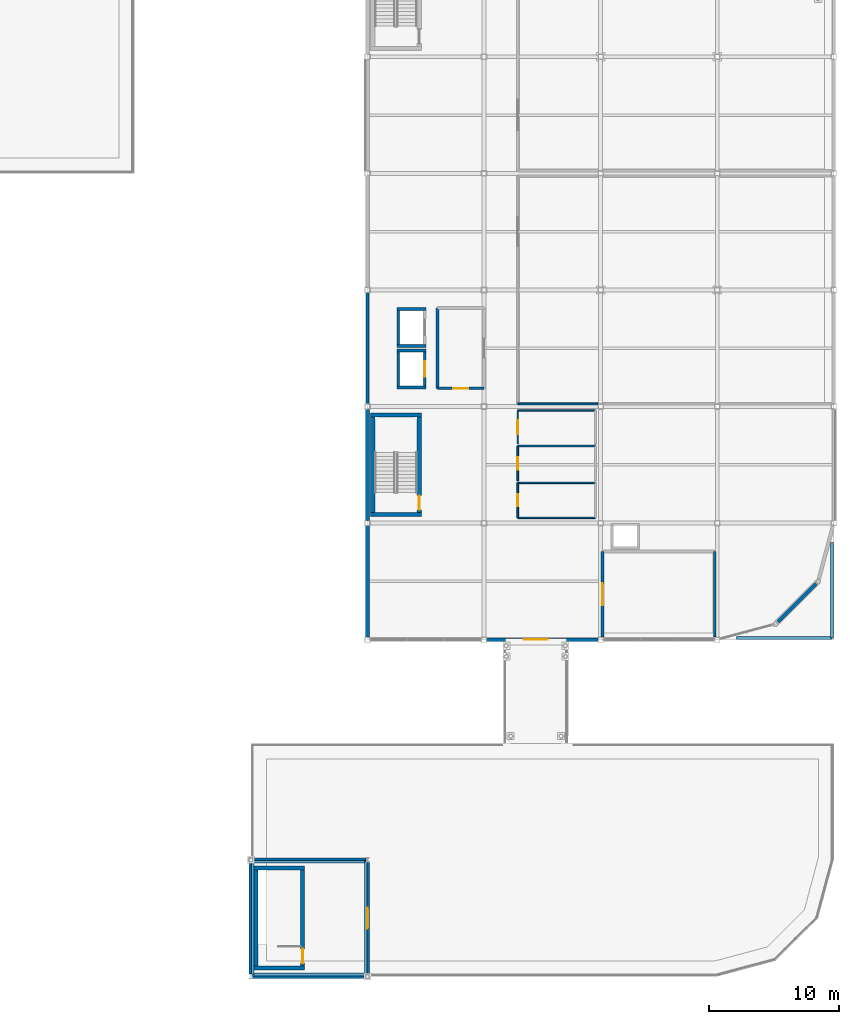
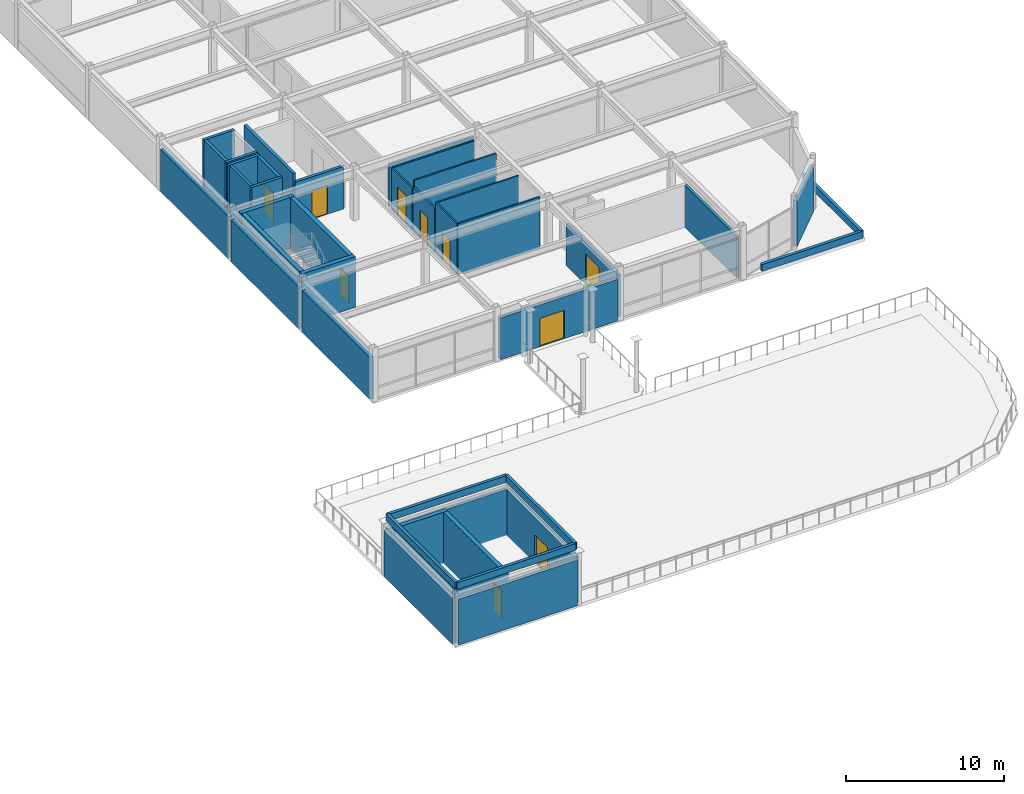
# One storey, part 40 of 53: 42 walls, 10 doors, 10 openings.
"""IFC4 building model written with IfcOpenShell, lengths in metres."""

from ifc_helpers import new_model, si_unit, direction, frame, frame_2d, origin, place, context, subcontext, project, spatial, rectangle, extrude, material, layer, layer_set, type_object, element, fill, save


model = new_model("IFC4")

# Units and contexts
model_context = context("Model", 3, precision=1e-05, world=origin(), true_north=direction((0.0, 1.0)))
body_context = subcontext(model_context, "Body", "Model", "MODEL_VIEW")
ifc_project = project(units=[si_unit("LENGTHUNIT", "METRE"), si_unit("AREAUNIT", "SQUARE_METRE"), si_unit("VOLUMEUNIT", "CUBIC_METRE"), si_unit("PLANEANGLEUNIT", "RADIAN"), si_unit("MASSUNIT", "GRAM", prefix="KILO")], contexts=[model_context])

# Site, building, storey
site_placement = place(None, origin())
site = spatial("IfcSite", under=ifc_project, at=site_placement, CompositionType="ELEMENT")
building_placement = place(site_placement, origin())
building = spatial("IfcBuilding", under=site, at=building_placement, Name="Suzunagisa Mobility Hub", CompositionType="ELEMENT")
storey_placement = place(building_placement, frame((0.0, 0.0, 17.699951171875)))
storey = spatial("IfcBuildingStorey", under=building, at=storey_placement, Name="L04", CompositionType="ELEMENT", Elevation=17.699951171875)

# Walls
ifc_material_1 = material(Name="Lightweight Insulated Autoclaved Concrete C30/37 Wall", Category="concrete")
ifc_layer_1 = layer(ifc_material_1, 0.239990234375)
ifc_layer_set_1 = layer_set([ifc_layer_1], Name="Lightweight Insulated Autoclaved Concrete C30/37 Wall")
wall_type_1 = type_object("IfcWallType", Name="Exterior Wall EW-04 240mm", PredefinedType="SOLIDWALL", material=ifc_layer_set_1)
wall_1_placement = place(storey_placement, frame((144.0, 70.800048828125, 0.0), z_axis=(0.0, 0.0, 1.0), x_axis=(0.0, -1.0, 0.0)))
element("IfcWall", 1, at=wall_1_placement, inside=storey, type_object=wall_type_1, Name="L04 Exterior Facade Wall EW-407", PredefinedType="SOLIDWALL", context=body_context, shape_type="SweptSolid", body=[
    extrude(rectangle(XDim=8.60009765625, YDim=0.239990234375, at=frame_2d((4.300048828125, 0.0))), origin(), (0.0, 0.0, 1.0), 3.239990234375),
])
ifc_material_2 = material(Name="Concrete C30/37", Category="concrete")
ifc_layer_2 = layer(ifc_material_2, 0.219970703125)
ifc_layer_set_2 = layer_set([ifc_layer_2], Name="Concrete C30/37")
wall_type_2 = type_object("IfcWallType", Name="Exterior Wall EW-05 220mm", PredefinedType="PARAPET", material=ifc_layer_set_2)
for number, where, z_axis, x_axis, name in (
    (2, (179.860107421875, 51.51171875, 0.0), (0.0, 0.0, 1.0), (0.0, -1.0, 0.0), "L04 Roof Setback Parapet PR-483"),
    (3, (179.860107421875, 44.139892578125, 0.0), (0.0, 0.0, 1.0), (-1.0, 0.0, 0.0), "L04 Roof Setback Parapet PR-484"),
):
    element("IfcWall", number, at=place(storey_placement, frame(where, z_axis=z_axis, x_axis=x_axis)), inside=storey, type_object=wall_type_2, Name=name, PredefinedType="PARAPET", context=body_context, shape_type="SweptSolid", body=[
        extrude(rectangle(XDim=7.371826171875, YDim=0.219970703125, at=frame_2d((3.68603515625, 0.0))), origin(), (0.0, 0.0, 1.0), 0.52001953125),
    ])
for number, where, z_axis, x_axis, name in (
    (4, (135.139892578125, 18.139892578125, 4.199951171875), (0.0, 0.0, 1.0), (0.0, 1.0, 0.0), "L04 Roof Setback Parapet PR-519"),
    (5, (135.139892578125, 26.860107421875, 4.199951171875), (0.0, 0.0, 1.0), (1.0, 0.0, 0.0), "L04 Roof Setback Parapet PR-520"),
    (6, (143.860107421875, 26.860107421875, 4.199951171875), (0.0, 0.0, 1.0), (0.0, -1.0, 0.0), "L04 Roof Setback Parapet PR-521"),
    (7, (143.860107421875, 18.139892578125, 4.199951171875), (0.0, 0.0, 1.0), (-1.0, 0.0, 0.0), "L04 Roof Setback Parapet PR-522"),
):
    element("IfcWall", number, at=place(storey_placement, frame(where, z_axis=z_axis, x_axis=x_axis)), inside=storey, type_object=wall_type_2, Name=name, PredefinedType="PARAPET", context=body_context, shape_type="SweptSolid", body=[
        extrude(rectangle(XDim=8.72021484375, YDim=0.219970703125, at=frame_2d((4.360107421875, 0.0))), origin(), (0.0, 0.0, 1.0), 0.52001953125),
    ])

# Wall, opening, door
ifc_material_3 = material(Name="Porcelain-Faced Insulated Concrete C30/37 Wall", Category="concrete")
ifc_layer_3 = layer(ifc_material_3, 0.280029296875)
ifc_layer_set_3 = layer_set([ifc_layer_3], Name="Porcelain-Faced Insulated Concrete C30/37 Wall")
wall_type_3 = type_object("IfcWallType", Name="Exterior Wall EW-08 280mm", PredefinedType="SOLIDWALL", material=ifc_layer_set_3)
wall_2_placement = place(storey_placement, frame((153.199951171875, 44.0, 0.0), z_axis=(0.0, 0.0, 1.0), x_axis=(1.0, 0.0, 0.0)))
wall_2 = element("IfcWall", 8, at=wall_2_placement, inside=storey, type_object=wall_type_3, Name="L04 Skybridge Portal Facade Wall 392", PredefinedType="SOLIDWALL", context=body_context, shape_type="SweptSolid", body=[
    extrude(rectangle(XDim=8.60009765625, YDim=0.280029296875, at=frame_2d((4.300048828125, 0.0))), origin(), (0.0, 0.0, 1.0), 3.239990234375),
])
opening_1_placement = place(wall_2_placement, frame((4.699951171875, 0.0, 0.0), z_axis=(0.0, 0.0, 1.0), x_axis=(-1.0, 0.0, 0.0)))
opening_1 = element("IfcOpeningElement", 9, at=opening_1_placement, cuts=wall_2, Name="Opening ED-12", PredefinedType="OPENING", context=body_context, shape_type="SweptSolid", body=[
    extrude(rectangle(XDim=1.800048828125, YDim=2.199951171875, at=frame_2d((0.89990234375, 1.10009765625))), frame((0.0, 0.15087890625, 0.0), z_axis=(0.0, -1.0, 0.0), x_axis=(1.0, 0.0, 0.0)), (0.0, 0.0, 1.0), 0.302001953125),
])
ifc_material_4 = material(Name="Anodized Aluminum and Tempered Safety Glass", Category="aluminium")
door_type_1 = type_object("IfcDoorType", Name="Exterior Glazed Aluminum Door ED-12 1800x2200", OperationType="DOUBLE_DOOR_SINGLE_SWING", PredefinedType="DOOR", material=ifc_material_4)
door_1_placement = place(opening_1_placement, origin())
door_1 = element("IfcDoor", 10, at=door_1_placement, inside=storey, type_object=door_type_1, Name="L04 Skybridge Portal Glazed Door BD-43", OperationType="SINGLE_SWING_LEFT", OverallHeight=2.199951171875, OverallWidth=1.800048828125, PredefinedType="DOOR", context=body_context, shape_type="SweptSolid", body=[
    extrude(rectangle(XDim=1.800048828125, YDim=2.199951171875, at=frame_2d((0.89990234375, 1.10009765625))), frame((0.0, 0.02490234375, 0.0), z_axis=(0.0, -1.0, 0.0), x_axis=(1.0, 0.0, 0.0)), (0.0, 0.0, 1.0), 0.050048828125),
])
fill(opening_1, door_1)

# Walls
wall_3_placement = place(storey_placement, frame((175.677734375, 45.383544921875, 0.0), z_axis=(0.0, 0.0, 1.0), x_axis=(0.707106781187, 0.707106781187, 0.0)))
element("IfcWall", 11, at=wall_3_placement, inside=storey, type_object=wall_type_3, Name="L04 Exterior Facade Wall EW-393", PredefinedType="SOLIDWALL", context=body_context, shape_type="SweptSolid", body=[
    extrude(rectangle(XDim=4.156005859375, YDim=0.280029296875, at=frame_2d((2.078125, 0.0))), origin(), (0.0, 0.0, 1.0), 3.5400390625),
])
wall_4_placement = place(storey_placement, frame((144.0, 52.800048828125, 0.0), z_axis=(0.0, 0.0, 1.0), x_axis=(0.0, -1.0, 0.0)))
element("IfcWall", 12, at=wall_4_placement, inside=storey, type_object=wall_type_3, Name="L04 Exterior Facade Wall EW-409", PredefinedType="SOLIDWALL", context=body_context, shape_type="SweptSolid", body=[
    extrude(rectangle(XDim=8.60009765625, YDim=0.280029296875, at=frame_2d((4.300048828125, 0.0))), origin(), (0.0, 0.0, 1.0), 3.239990234375),
])
for number, where, z_axis, x_axis, name in (
    (13, (135.125, 18.0, 0.0), (0.0, 0.0, 1.0), (1.0, 0.0, 0.0), "L04 Core C7 Penthouse Exterior Wall 458"),
    (14, (143.875, 27.0, 0.0), (0.0, 0.0, 1.0), (-1.0, 0.0, 0.0), "L04 Core C7 Penthouse Exterior Wall 459"),
):
    element("IfcWall", number, at=place(storey_placement, frame(where, z_axis=z_axis, x_axis=x_axis)), inside=storey, type_object=wall_type_3, Name=name, PredefinedType="SOLIDWALL", context=body_context, shape_type="SweptSolid", body=[
        extrude(rectangle(XDim=8.72509765625, YDim=0.280029296875, at=frame_2d((4.362548828125, 0.0))), origin(), (0.0, 0.0, 1.0), 3.550048828125),
    ])
wall_5_placement = place(storey_placement, frame((135.0, 18.169921875, 0.0), z_axis=(0.0, 0.0, 1.0), x_axis=(0.0, 1.0, 0.0)))
element("IfcWall", 15, at=wall_5_placement, inside=storey, type_object=wall_type_3, Name="L04 Core C7 Penthouse Exterior Wall 460", PredefinedType="SOLIDWALL", context=body_context, shape_type="SweptSolid", body=[
    extrude(rectangle(XDim=8.68017578125, YDim=0.280029296875, at=frame_2d((4.340087890625, 0.0))), origin(), (0.0, 0.0, 1.0), 3.550048828125),
])

# Wall, opening, door
wall_6_placement = place(storey_placement, frame((144.0, 18.14990234375, 0.0), z_axis=(0.0, 0.0, 1.0), x_axis=(0.0, 1.0, 0.0)))
wall_6 = element("IfcWall", 16, at=wall_6_placement, inside=storey, type_object=wall_type_3, Name="L04 Core C7 Penthouse Exterior Wall 461", PredefinedType="SOLIDWALL", context=body_context, shape_type="SweptSolid", body=[
    extrude(rectangle(XDim=8.68017578125, YDim=0.280029296875, at=frame_2d((4.340087890625, 0.0))), origin(), (0.0, 0.0, 1.0), 3.550048828125),
])
opening_2_placement = place(wall_6_placement, frame((5.150146484375, 0.0, 0.0), z_axis=(0.0, 0.0, 1.0), x_axis=(-1.0, 0.0, 0.0)))
opening_2 = element("IfcOpeningElement", 17, at=opening_2_placement, cuts=wall_6, Name="Opening ED-03", PredefinedType="OPENING", context=body_context, shape_type="SweptSolid", body=[
    extrude(rectangle(XDim=1.60009765625, YDim=2.199951171875, at=frame_2d((0.800048828125, 1.10009765625))), frame((0.0, 0.15087890625, 0.0), z_axis=(0.0, -1.0, 0.0), x_axis=(1.0, 0.0, 0.0)), (0.0, 0.0, 1.0), 0.302001953125),
])
door_type_2 = type_object("IfcDoorType", Name="Exterior Glazed Aluminum Door ED-03 1600x2200", OperationType="DOUBLE_DOOR_SINGLE_SWING", PredefinedType="DOOR", material=ifc_material_4)
door_2_placement = place(opening_2_placement, origin())
door_2 = element("IfcDoor", 18, at=door_2_placement, inside=storey, type_object=door_type_2, Name="L04 Core C7 Roof Garden Terrace Door TD-45", OperationType="SINGLE_SWING_LEFT", OverallHeight=2.199951171875, OverallWidth=1.60009765625, PredefinedType="DOOR", context=body_context, shape_type="SweptSolid", body=[
    extrude(rectangle(XDim=1.60009765625, YDim=2.199951171875, at=frame_2d((0.800048828125, 1.10009765625))), frame((0.0, 0.02490234375, 0.0), z_axis=(0.0, -1.0, 0.0), x_axis=(1.0, 0.0, 0.0)), (0.0, 0.0, 1.0), 0.050048828125),
])
fill(opening_2, door_2)

# Walls
ifc_material_5 = material(Name="Insulated Precast Concrete C35/45 Panel", Category="concrete")
ifc_layer_4 = layer(ifc_material_5, 0.300048828125)
ifc_layer_set_4 = layer_set([ifc_layer_4], Name="Insulated Precast Concrete C35/45 Panel")
wall_type_4 = type_object("IfcWallType", Name="Exterior Wall EW-09 300mm", PredefinedType="SOLIDWALL", material=ifc_layer_set_4)
wall_7_placement = place(storey_placement, frame((144.0, 61.800048828125, 0.0), z_axis=(0.0, 0.0, 1.0), x_axis=(0.0, -1.0, 0.0)))
element("IfcWall", 19, at=wall_7_placement, inside=storey, type_object=wall_type_4, Name="L04 Exterior Facade Wall EW-408", PredefinedType="SOLIDWALL", context=body_context, shape_type="SweptSolid", body=[
    extrude(rectangle(XDim=8.60009765625, YDim=0.300048828125, at=frame_2d((4.300048828125, 0.0))), origin(), (0.0, 0.0, 1.0), 3.239990234375),
])
ifc_material_6 = material(Name="Concrete C35/45", Category="concrete")
ifc_layer_5 = layer(ifc_material_6, 0.31005859375)
ifc_layer_set_5 = layer_set([ifc_layer_5], Name="Concrete C35/45")
wall_type_5 = type_object("IfcWallType", Name="Interior Wall IW-01 310mm", PredefinedType="SHEAR", material=ifc_layer_set_5)
for number, where, z_axis, x_axis, name in (
    (20, (135.25, 18.64501953125, 0.0), (0.0, 0.0, 1.0), (1.0, 0.0, 0.0), "L04 Core C7 Shear Wall SW-341"),
    (21, (135.25, 26.35498046875, 0.0), (0.0, 0.0, 1.0), (1.0, 0.0, 0.0), "L04 Core C7 Shear Wall SW-342"),
):
    element("IfcWall", number, at=place(storey_placement, frame(where, z_axis=z_axis, x_axis=x_axis)), inside=storey, type_object=wall_type_5, Name=name, PredefinedType="SHEAR", context=body_context, shape_type="SweptSolid", body=[
        extrude(rectangle(XDim=3.89990234375, YDim=0.31005859375, at=frame_2d((1.949951171875, 0.0))), origin(), (0.0, 0.0, 1.0), 3.93994140625),
    ])
wall_8_placement = place(storey_placement, frame((135.405029296875, 18.800048828125, 0.0), z_axis=(0.0, 0.0, 1.0), x_axis=(0.0, 1.0, 0.0)))
element("IfcWall", 22, at=wall_8_placement, inside=storey, type_object=wall_type_5, Name="L04 Core C7 Shear Wall SW-343", PredefinedType="SHEAR", context=body_context, shape_type="SweptSolid", body=[
    extrude(rectangle(XDim=7.39990234375, YDim=0.31005859375, at=frame_2d((3.699951171875, 0.0))), origin(), (0.0, 0.0, 1.0), 3.93994140625),
])

# Wall, opening, door
wall_9_placement = place(storey_placement, frame((138.9951171875, 18.800048828125, 0.0), z_axis=(0.0, 0.0, 1.0), x_axis=(0.0, 1.0, 0.0)))
wall_9 = element("IfcWall", 23, at=wall_9_placement, inside=storey, type_object=wall_type_5, Name="L04 Core C7 Shear Wall SW-344", PredefinedType="SHEAR", context=body_context, shape_type="SweptSolid", body=[
    extrude(rectangle(XDim=7.39990234375, YDim=0.31005859375, at=frame_2d((3.699951171875, 0.0))), origin(), (0.0, 0.0, 1.0), 3.93994140625),
])
opening_3_placement = place(wall_9_placement, frame((0.219970703125, 0.0, 0.0)))
opening_3 = element("IfcOpeningElement", 24, at=opening_3_placement, cuts=wall_9, Name="Opening DR-05", PredefinedType="OPENING", context=body_context, shape_type="SweptSolid", body=[
    extrude(rectangle(XDim=1.10009765625, YDim=2.14990234375, at=frame_2d((0.550048828125, 1.074951171875))), frame((0.0, 0.166015625, 0.0), z_axis=(0.0, -1.0, 0.0), x_axis=(1.0, 0.0, 0.0)), (0.0, 0.0, 1.0), 0.33203125),
])
ifc_material_7 = material(Name="Fire-Rated Hollow Steel Stair Door", Category="steel")
door_type_3 = type_object("IfcDoorType", Name="Interior Door DR-05 1100x2150", OperationType="SINGLE_SWING_LEFT", PredefinedType="DOOR", material=ifc_material_7)
door_3_placement = place(opening_3_placement, origin())
door_3 = element("IfcDoor", 25, at=door_3_placement, inside=storey, type_object=door_type_3, Name="L04 Core C7 Escape Stair Fire Door SD-84", OperationType="SINGLE_SWING_LEFT", OverallHeight=2.14990234375, OverallWidth=1.10009765625, PredefinedType="DOOR", context=body_context, shape_type="SweptSolid", body=[
    extrude(rectangle(XDim=1.10009765625, YDim=2.14990234375, at=frame_2d((0.550048828125, 1.074951171875))), frame((0.0, 0.02490234375, 0.0), z_axis=(0.0, -1.0, 0.0), x_axis=(1.0, 0.0, 0.0)), (0.0, 0.0, 1.0), 0.050048828125),
])
fill(opening_3, door_3)

# Walls
for number, where, z_axis, x_axis, name in (
    (26, (144.25, 53.64501953125, 0.0), (0.0, 0.0, 1.0), (1.0, 0.0, 0.0), "L04 Core C5 Shear Wall SW-425"),
    (27, (144.25, 61.35498046875, 0.0), (0.0, 0.0, 1.0), (1.0, 0.0, 0.0), "L04 Core C5 Shear Wall SW-426"),
):
    element("IfcWall", number, at=place(storey_placement, frame(where, z_axis=z_axis, x_axis=x_axis)), inside=storey, type_object=wall_type_5, Name=name, PredefinedType="SHEAR", context=body_context, shape_type="SweptSolid", body=[
        extrude(rectangle(XDim=3.89990234375, YDim=0.31005859375, at=frame_2d((1.949951171875, 0.0))), origin(), (0.0, 0.0, 1.0), 3.93994140625),
    ])
wall_10_placement = place(storey_placement, frame((144.405029296875, 53.800048828125, 0.0), z_axis=(0.0, 0.0, 1.0), x_axis=(0.0, 1.0, 0.0)))
element("IfcWall", 28, at=wall_10_placement, inside=storey, type_object=wall_type_5, Name="L04 Core C5 Shear Wall SW-427", PredefinedType="SHEAR", context=body_context, shape_type="SweptSolid", body=[
    extrude(rectangle(XDim=7.39990234375, YDim=0.31005859375, at=frame_2d((3.699951171875, 0.0))), origin(), (0.0, 0.0, 1.0), 3.93994140625),
])

# Wall, opening, door
wall_11_placement = place(storey_placement, frame((147.9951171875, 53.800048828125, 0.0), z_axis=(0.0, 0.0, 1.0), x_axis=(0.0, 1.0, 0.0)))
wall_11 = element("IfcWall", 29, at=wall_11_placement, inside=storey, type_object=wall_type_5, Name="L04 Core C5 Shear Wall SW-428", PredefinedType="SHEAR", context=body_context, shape_type="SweptSolid", body=[
    extrude(rectangle(XDim=7.39990234375, YDim=0.31005859375, at=frame_2d((3.699951171875, 0.0))), origin(), (0.0, 0.0, 1.0), 3.93994140625),
])
opening_4_placement = place(wall_11_placement, frame((0.219970703125, 0.0, 0.0)))
opening_4 = element("IfcOpeningElement", 30, at=opening_4_placement, cuts=wall_11, Name="Opening DR-05", PredefinedType="OPENING", context=body_context, shape_type="SweptSolid", body=[
    extrude(rectangle(XDim=1.10009765625, YDim=2.14990234375, at=frame_2d((0.550048828125, 1.074951171875))), frame((0.0, 0.166015625, 0.0), z_axis=(0.0, -1.0, 0.0), x_axis=(1.0, 0.0, 0.0)), (0.0, 0.0, 1.0), 0.33203125),
])
door_4_placement = place(opening_4_placement, origin())
door_4 = element("IfcDoor", 31, at=door_4_placement, inside=storey, type_object=door_type_3, Name="L04 Core C5 Escape Stair Fire Door SD-104", OperationType="SINGLE_SWING_LEFT", OverallHeight=2.14990234375, OverallWidth=1.10009765625, PredefinedType="DOOR", context=body_context, shape_type="SweptSolid", body=[
    extrude(rectangle(XDim=1.10009765625, YDim=2.14990234375, at=frame_2d((0.550048828125, 1.074951171875))), frame((0.0, 0.02490234375, 0.0), z_axis=(0.0, -1.0, 0.0), x_axis=(1.0, 0.0, 0.0)), (0.0, 0.0, 1.0), 0.050048828125),
])
fill(opening_4, door_4)

# Walls
ifc_material_8 = material(Name="Moisture-Resistant Gypsum Partition", Category="gypsum")
ifc_layer_6 = layer(ifc_material_8, 0.1201171875)
ifc_layer_set_6 = layer_set([ifc_layer_6], Name="Moisture-Resistant Gypsum Partition")
wall_type_6 = type_object("IfcWallType", Name="Interior Wall IW-02 120mm", PredefinedType="PARTITIONING", material=ifc_layer_set_6)
for number, where, z_axis, x_axis, name in (
    (32, (155.60009765625, 53.39990234375, 0.0), (0.0, 0.0, 1.0), (1.0, 0.0, 0.0), "L04 Male Restroom WC L04 Partition PW-615"),
    (33, (155.60009765625, 56.10009765625, 0.0), (0.0, 0.0, 1.0), (1.0, 0.0, 0.0), "L04 Male Restroom WC L04 Partition PW-616"),
):
    element("IfcWall", number, at=place(storey_placement, frame(where, z_axis=z_axis, x_axis=x_axis)), inside=storey, type_object=wall_type_6, Name=name, PredefinedType="PARTITIONING", context=body_context, shape_type="SweptSolid", body=[
        extrude(rectangle(XDim=6.0, YDim=0.1201171875, at=frame_2d((3.0, 0.0))), origin(), (0.0, 0.0, 1.0), 3.93994140625),
    ])

# Wall, opening, door
wall_12_placement = place(storey_placement, frame((155.60009765625, 53.39990234375, 0.0), z_axis=(0.0, 0.0, 1.0), x_axis=(0.0, 1.0, 0.0)))
wall_12 = element("IfcWall", 34, at=wall_12_placement, inside=storey, type_object=wall_type_6, Name="L04 Male Restroom WC L04 Partition PW-617", PredefinedType="PARTITIONING", context=body_context, shape_type="SweptSolid", body=[
    extrude(rectangle(XDim=2.7001953125, YDim=0.1201171875, at=frame_2d((1.35009765625, 0.0))), origin(), (0.0, 0.0, 1.0), 3.93994140625),
])
opening_5_placement = place(wall_12_placement, frame((0.889892578125, 0.0, 0.0)))
opening_5 = element("IfcOpeningElement", 35, at=opening_5_placement, cuts=wall_12, Name="Opening DR-02", PredefinedType="OPENING", context=body_context, shape_type="SweptSolid", body=[
    extrude(rectangle(XDim=0.919921875, YDim=2.10009765625, at=frame_2d((0.4599609375, 1.050048828125))), frame((0.0, 0.071044921875, 0.0), z_axis=(0.0, -1.0, 0.0), x_axis=(1.0, 0.0, 0.0)), (0.0, 0.0, 1.0), 0.14208984375),
])
ifc_material_9 = material(Name="Sanitary Restroom Laminate Door")
door_type_4 = type_object("IfcDoorType", Name="Interior Door DR-02 920x2100", OperationType="SINGLE_SWING_LEFT", PredefinedType="DOOR", material=ifc_material_9)
door_5_placement = place(opening_5_placement, origin())
door_5 = element("IfcDoor", 36, at=door_5_placement, inside=storey, type_object=door_type_4, Name="L04 Male Restroom WC L04 Door DR-152", OperationType="SINGLE_SWING_LEFT", OverallHeight=2.10009765625, OverallWidth=0.919921875, PredefinedType="DOOR", context=body_context, shape_type="SweptSolid", body=[
    extrude(rectangle(XDim=0.919921875, YDim=2.10009765625, at=frame_2d((0.4599609375, 1.050048828125))), frame((0.0, 0.02490234375, 0.0), z_axis=(0.0, -1.0, 0.0), x_axis=(1.0, 0.0, 0.0)), (0.0, 0.0, 1.0), 0.050048828125),
])
fill(opening_5, door_5)

# Wall
wall_13_placement = place(storey_placement, frame((155.60009765625, 58.949951171875, 0.0), z_axis=(0.0, 0.0, 1.0), x_axis=(1.0, 0.0, 0.0)))
element("IfcWall", 37, at=wall_13_placement, inside=storey, type_object=wall_type_6, Name="L04 Female Restroom WC L04 Partition PW-619", PredefinedType="PARTITIONING", context=body_context, shape_type="SweptSolid", body=[
    extrude(rectangle(XDim=6.0, YDim=0.1201171875, at=frame_2d((3.0, 0.0))), origin(), (0.0, 0.0, 1.0), 3.93994140625),
])

# Wall, opening, door
wall_14_placement = place(storey_placement, frame((155.60009765625, 56.25, 0.0), z_axis=(0.0, 0.0, 1.0), x_axis=(0.0, 1.0, 0.0)))
wall_14 = element("IfcWall", 38, at=wall_14_placement, inside=storey, type_object=wall_type_6, Name="L04 Female Restroom WC L04 Partition PW-620", PredefinedType="PARTITIONING", context=body_context, shape_type="SweptSolid", body=[
    extrude(rectangle(XDim=2.699951171875, YDim=0.1201171875, at=frame_2d((1.35009765625, 0.0))), origin(), (0.0, 0.0, 1.0), 3.43994140625),
])
opening_6_placement = place(wall_14_placement, frame((0.875, 0.0, 0.0)))
opening_6 = element("IfcOpeningElement", 39, at=opening_6_placement, cuts=wall_14, Name="Opening DR-19", PredefinedType="OPENING", context=body_context, shape_type="SweptSolid", body=[
    extrude(rectangle(XDim=0.949951171875, YDim=2.14990234375, at=frame_2d((0.47509765625, 1.074951171875))), frame((0.0, 0.071044921875, 0.0), z_axis=(0.0, -1.0, 0.0), x_axis=(1.0, 0.0, 0.0)), (0.0, 0.0, 1.0), 0.14208984375),
])
ifc_material_10 = material(Name="Sanitary Restroom Acoustic Door")
door_type_5 = type_object("IfcDoorType", Name="Interior Door DR-19 950x2150", OperationType="SINGLE_SWING_LEFT", PredefinedType="DOOR", material=ifc_material_10)
door_6_placement = place(opening_6_placement, origin())
door_6 = element("IfcDoor", 40, at=door_6_placement, inside=storey, type_object=door_type_5, Name="L04 Female Restroom WC L04 Door DR-153", OperationType="SINGLE_SWING_RIGHT", OverallHeight=2.14990234375, OverallWidth=0.949951171875, PredefinedType="DOOR", context=body_context, shape_type="SweptSolid", body=[
    extrude(rectangle(XDim=0.949951171875, YDim=2.14990234375, at=frame_2d((0.47509765625, 1.074951171875))), frame((0.0, 0.02490234375, 0.0), z_axis=(0.0, -1.0, 0.0), x_axis=(1.0, 0.0, 0.0)), (0.0, 0.0, 1.0), 0.050048828125),
])
fill(opening_6, door_6)

# Wall
wall_15_placement = place(storey_placement, frame((155.60009765625, 61.699951171875, 0.0), z_axis=(0.0, 0.0, 1.0), x_axis=(1.0, 0.0, 0.0)))
element("IfcWall", 41, at=wall_15_placement, inside=storey, type_object=wall_type_6, Name="L04 Accessible Restroom WC L04 Partition PW-622", PredefinedType="PARTITIONING", context=body_context, shape_type="SweptSolid", body=[
    extrude(rectangle(XDim=6.0, YDim=0.1201171875, at=frame_2d((3.0, 0.0))), origin(), (0.0, 0.0, 1.0), 3.239990234375),
])

# Wall, opening, door
wall_16_placement = place(storey_placement, frame((155.60009765625, 59.10009765625, 0.0), z_axis=(0.0, 0.0, 1.0), x_axis=(0.0, 1.0, 0.0)))
wall_16 = element("IfcWall", 42, at=wall_16_placement, inside=storey, type_object=wall_type_6, Name="L04 Accessible Restroom WC L04 Partition PW-623", PredefinedType="PARTITIONING", context=body_context, shape_type="SweptSolid", body=[
    extrude(rectangle(XDim=2.599853515625, YDim=0.1201171875, at=frame_2d((1.2998046875, 0.0))), origin(), (0.0, 0.0, 1.0), 3.239990234375),
])
opening_7_placement = place(wall_16_placement, frame((0.77490234375, 0.0, 0.0)))
opening_7 = element("IfcOpeningElement", 43, at=opening_7_placement, cuts=wall_16, Name="Opening DR-16", PredefinedType="OPENING", context=body_context, shape_type="SweptSolid", body=[
    extrude(rectangle(XDim=1.050048828125, YDim=2.199951171875, at=frame_2d((0.52490234375, 1.10009765625))), frame((0.0, 0.071044921875, 0.0), z_axis=(0.0, -1.0, 0.0), x_axis=(1.0, 0.0, 0.0)), (0.0, 0.0, 1.0), 0.14208984375),
])
ifc_material_11 = material(Name="Barrier-Free Club Accessible WC Door")
door_type_6 = type_object("IfcDoorType", Name="Interior Door DR-16 1050x2200", OperationType="SINGLE_SWING_LEFT", PredefinedType="DOOR", material=ifc_material_11)
door_7_placement = place(opening_7_placement, origin())
door_7 = element("IfcDoor", 44, at=door_7_placement, inside=storey, type_object=door_type_6, Name="L04 Accessible Restroom WC L04 Door DR-154", OperationType="SINGLE_SWING_LEFT", OverallHeight=2.199951171875, OverallWidth=1.050048828125, PredefinedType="DOOR", context=body_context, shape_type="SweptSolid", body=[
    extrude(rectangle(XDim=1.050048828125, YDim=2.199951171875, at=frame_2d((0.52490234375, 1.10009765625))), frame((0.0, 0.02490234375, 0.0), z_axis=(0.0, -1.0, 0.0), x_axis=(1.0, 0.0, 0.0)), (0.0, 0.0, 1.0), 0.050048828125),
])
fill(opening_7, door_7)

ifc_material_12 = material(Name="Fire-Rated Gypsum Stud Partition", Category="gypsum")
ifc_layer_7 = layer(ifc_material_12, 0.2099609375)
ifc_layer_set_7 = layer_set([ifc_layer_7], Name="Fire-Rated Gypsum Stud Partition")
wall_type_7 = type_object("IfcWallType", Name="Interior Wall IW-03 210mm", PredefinedType="PARTITIONING", material=ifc_layer_set_7)
wall_17_placement = place(storey_placement, frame((148.425048828125, 63.580078125, 0.0), z_axis=(0.0, 0.0, 1.0), x_axis=(0.0, 1.0, 0.0)))
wall_17 = element("IfcWall", 45, at=wall_17_placement, inside=storey, type_object=wall_type_7, Name="L04 Lift LF-05 Shaft Front Wall", PredefinedType="PARTITIONING", context=body_context, shape_type="SweptSolid", body=[
    extrude(rectangle(XDim=2.639892578125, YDim=0.2099609375, at=frame_2d((1.31982421875, 0.0))), origin(), (0.0, 0.0, 1.0), 3.93994140625),
])
opening_8_placement = place(wall_17_placement, frame((0.719970703125, 0.0, 0.0)))
opening_8 = element("IfcOpeningElement", 46, at=opening_8_placement, cuts=wall_17, Name="Opening LD-03", PredefinedType="OPENING", context=body_context, shape_type="SweptSolid", body=[
    extrude(rectangle(XDim=1.199951171875, YDim=2.199951171875, at=frame_2d((0.60009765625, 1.10009765625))), frame((0.0, 0.115966796875, 0.0), z_axis=(0.0, -1.0, 0.0), x_axis=(1.0, 0.0, 0.0)), (0.0, 0.0, 1.0), 0.23193359375),
])
ifc_material_13 = material(Name="Brushed Stainless Steel SUS304", Category="metal")
door_type_7 = type_object("IfcDoorType", Name="Lift Landing Sliding Door LD-03 1200x2200", OperationType="SLIDING_TO_LEFT", PredefinedType="DOOR", material=ifc_material_13)
door_8_placement = place(opening_8_placement, origin())
door_8 = element("IfcDoor", 47, at=door_8_placement, inside=storey, type_object=door_type_7, Name="L04 Lift LF-05 Sliding Landing Door", OperationType="SLIDING_TO_LEFT", OverallHeight=2.199951171875, OverallWidth=1.199951171875, PredefinedType="DOOR", context=body_context, shape_type="SweptSolid", body=[
    extrude(rectangle(XDim=1.199951171875, YDim=2.199951171875, at=frame_2d((0.60009765625, 1.10009765625))), frame((0.0, 0.02490234375, 0.0), z_axis=(0.0, -1.0, 0.0), x_axis=(1.0, 0.0, 0.0)), (0.0, 0.0, 1.0), 0.050048828125),
])
fill(opening_8, door_8)

# Walls
wall_18_placement = place(storey_placement, frame((146.375, 63.580078125, 0.0), z_axis=(0.0, 0.0, 1.0), x_axis=(0.0, 1.0, 0.0)))
element("IfcWall", 48, at=wall_18_placement, inside=storey, type_object=wall_type_7, Name="L04 Lift LF-05 Shaft Back Wall", PredefinedType="PARTITIONING", context=body_context, shape_type="SweptSolid", body=[
    extrude(rectangle(XDim=2.639892578125, YDim=0.2099609375, at=frame_2d((1.31982421875, 0.0))), origin(), (0.0, 0.0, 1.0), 3.93994140625),
])
for number, where, z_axis, x_axis, name in (
    (49, (146.27001953125, 63.47509765625, 0.0), (0.0, 0.0, 1.0), (1.0, 0.0, 0.0), "L04 Lift LF-05 Shaft South Wall"),
    (50, (146.27001953125, 66.324951171875, 0.0), (0.0, 0.0, 1.0), (1.0, 0.0, 0.0), "L04 Lift LF-05 Shaft North Wall"),
):
    element("IfcWall", number, at=place(storey_placement, frame(where, z_axis=z_axis, x_axis=x_axis)), inside=storey, type_object=wall_type_7, Name=name, PredefinedType="PARTITIONING", context=body_context, shape_type="SweptSolid", body=[
        extrude(rectangle(XDim=2.260009765625, YDim=0.2099609375, at=frame_2d((1.1298828125, 0.0))), origin(), (0.0, 0.0, 1.0), 3.93994140625),
    ])
wall_19_placement = place(storey_placement, frame((146.375, 66.780029296875, 0.0), z_axis=(0.0, 0.0, 1.0), x_axis=(0.0, 1.0, 0.0)))
element("IfcWall", 51, at=wall_19_placement, inside=storey, type_object=wall_type_7, Name="L04 Lift LF-06 Shaft Back Wall", PredefinedType="PARTITIONING", context=body_context, shape_type="SweptSolid", body=[
    extrude(rectangle(XDim=2.639892578125, YDim=0.2099609375, at=frame_2d((1.31982421875, 0.0))), origin(), (0.0, 0.0, 1.0), 3.93994140625),
])
for number, where, z_axis, x_axis, name in (
    (52, (146.27001953125, 66.675048828125, 0.0), (0.0, 0.0, 1.0), (1.0, 0.0, 0.0), "L04 Lift LF-06 Shaft South Wall"),
    (53, (146.27001953125, 69.52490234375, 0.0), (0.0, 0.0, 1.0), (1.0, 0.0, 0.0), "L04 Lift LF-06 Shaft North Wall"),
):
    element("IfcWall", number, at=place(storey_placement, frame(where, z_axis=z_axis, x_axis=x_axis)), inside=storey, type_object=wall_type_7, Name=name, PredefinedType="PARTITIONING", context=body_context, shape_type="SweptSolid", body=[
        extrude(rectangle(XDim=2.260009765625, YDim=0.2099609375, at=frame_2d((1.1298828125, 0.0))), origin(), (0.0, 0.0, 1.0), 3.93994140625),
    ])

# Wall, opening, door
wall_20_placement = place(storey_placement, frame((149.39990234375, 63.39990234375, 0.0), z_axis=(0.0, 0.0, 1.0), x_axis=(1.0, 0.0, 0.0)))
wall_20 = element("IfcWall", 54, at=wall_20_placement, inside=storey, type_object=wall_type_7, Name="L04 Firefighting Lift Lobby L04 Partition PW-553", PredefinedType="PARTITIONING", context=body_context, shape_type="SweptSolid", body=[
    extrude(rectangle(XDim=3.60009765625, YDim=0.2099609375, at=frame_2d((1.800048828125, 0.0))), origin(), (0.0, 0.0, 1.0), 3.2900390625),
])
opening_9_placement = place(wall_20_placement, frame((1.22509765625, 0.0, 0.0)))
opening_9 = element("IfcOpeningElement", 55, at=opening_9_placement, cuts=wall_20, Name="Opening DR-20", PredefinedType="OPENING", context=body_context, shape_type="SweptSolid", body=[
    extrude(rectangle(XDim=1.14990234375, YDim=2.199951171875, at=frame_2d((0.574951171875, 1.10009765625))), frame((0.0, 0.115966796875, 0.0), z_axis=(0.0, -1.0, 0.0), x_axis=(1.0, 0.0, 0.0)), (0.0, 0.0, 1.0), 0.23193359375),
])
door_type_8 = type_object("IfcDoorType", Name="Interior Door DR-20 1150x2200", OperationType="SINGLE_SWING_LEFT", PredefinedType="DOOR", material=ifc_material_7)
door_9_placement = place(opening_9_placement, origin())
door_9 = element("IfcDoor", 56, at=door_9_placement, inside=storey, type_object=door_type_8, Name="L04 Firefighting Lobby to Escape Stair Door SD-131", OperationType="SINGLE_SWING_RIGHT", OverallHeight=2.199951171875, OverallWidth=1.14990234375, PredefinedType="DOOR", context=body_context, shape_type="SweptSolid", body=[
    extrude(rectangle(XDim=1.14990234375, YDim=2.199951171875, at=frame_2d((0.574951171875, 1.10009765625))), frame((0.0, 0.02490234375, 0.0), z_axis=(0.0, -1.0, 0.0), x_axis=(1.0, 0.0, 0.0)), (0.0, 0.0, 1.0), 0.050048828125),
])
fill(opening_9, door_9)

# Wall
wall_21_placement = place(storey_placement, frame((149.39990234375, 63.39990234375, 0.0), z_axis=(0.0, 0.0, 1.0), x_axis=(0.0, 1.0, 0.0)))
element("IfcWall", 57, at=wall_21_placement, inside=storey, type_object=wall_type_7, Name="L04 Firefighting Lift Lobby L04 Partition PW-555", PredefinedType="PARTITIONING", context=body_context, shape_type="SweptSolid", body=[
    extrude(rectangle(XDim=6.2001953125, YDim=0.2099609375, at=frame_2d((3.10009765625, 0.0))), origin(), (0.0, 0.0, 1.0), 3.93994140625),
])

# Wall, opening, door
wall_22_placement = place(storey_placement, frame((162.14990234375, 44.199951171875, 0.0), z_axis=(0.0, 0.0, 1.0), x_axis=(0.0, 1.0, 0.0)))
wall_22 = element("IfcWall", 58, at=wall_22_placement, inside=storey, type_object=wall_type_7, Name="L04 East Wing Heat-Recovery Plant Room L04 Partition PW-876", PredefinedType="PARTITIONING", context=body_context, shape_type="SweptSolid", body=[
    extrude(rectangle(XDim=6.60009765625, YDim=0.2099609375, at=frame_2d((3.300048828125, 0.0))), origin(), (0.0, 0.0, 1.0), 3.239990234375),
])
opening_10_placement = place(wall_22_placement, frame((2.449951171875, 0.0, 0.0)))
opening_10 = element("IfcOpeningElement", 59, at=opening_10_placement, cuts=wall_22, Name="Opening DR-17", PredefinedType="OPENING", context=body_context, shape_type="SweptSolid", body=[
    extrude(rectangle(XDim=1.699951171875, YDim=2.39990234375, at=frame_2d((0.85009765625, 1.199951171875))), frame((0.0, 0.115966796875, 0.0), z_axis=(0.0, -1.0, 0.0), x_axis=(1.0, 0.0, 0.0)), (0.0, 0.0, 1.0), 0.23193359375),
])
ifc_material_14 = material(Name="Substation Double Steel Fire Door", Category="steel")
door_type_9 = type_object("IfcDoorType", Name="Interior Door DR-17 1700x2400", OperationType="SINGLE_SWING_LEFT", PredefinedType="DOOR", material=ifc_material_14)
door_10_placement = place(opening_10_placement, origin())
door_10 = element("IfcDoor", 60, at=door_10_placement, inside=storey, type_object=door_type_9, Name="L04 East Wing Heat-Recovery Plant Room L04 Door DR-218", OperationType="SINGLE_SWING_LEFT", OverallHeight=2.39990234375, OverallWidth=1.699951171875, PredefinedType="DOOR", context=body_context, shape_type="SweptSolid", body=[
    extrude(rectangle(XDim=1.699951171875, YDim=2.39990234375, at=frame_2d((0.85009765625, 1.199951171875))), frame((0.0, 0.02490234375, 0.0), z_axis=(0.0, -1.0, 0.0), x_axis=(1.0, 0.0, 0.0)), (0.0, 0.0, 1.0), 0.050048828125),
])
fill(opening_10, door_10)

# Walls
wall_23_placement = place(storey_placement, frame((170.800048828125, 44.199951171875, 0.0), z_axis=(0.0, 0.0, 1.0), x_axis=(0.0, 1.0, 0.0)))
element("IfcWall", 61, at=wall_23_placement, inside=storey, type_object=wall_type_7, Name="L04 East Wing Heat-Recovery Plant Room L04 Partition PW-877", PredefinedType="PARTITIONING", context=body_context, shape_type="SweptSolid", body=[
    extrude(rectangle(XDim=6.60009765625, YDim=0.2099609375, at=frame_2d((3.300048828125, 0.0))), origin(), (0.0, 0.0, 1.0), 3.239990234375),
])
ifc_material_15 = material(Name="Acoustic Steel-Stud Gypsum Partition", Category="steel")
ifc_layer_8 = layer(ifc_material_15, 0.14501953125)
ifc_layer_set_8 = layer_set([ifc_layer_8], Name="Acoustic Steel-Stud Gypsum Partition")
wall_type_8 = type_object("IfcWallType", Name="Interior Wall IW-06 145mm", PredefinedType="PARTITIONING", material=ifc_layer_set_8)
wall_24_placement = place(storey_placement, frame((155.60009765625, 62.199951171875, 0.0), z_axis=(0.0, 0.0, 1.0), x_axis=(1.0, 0.0, 0.0)))
element("IfcWall", 62, at=wall_24_placement, inside=storey, type_object=wall_type_8, Name="L04 Active Mobility Wellness and Rehabilitation Studio Partition PW-864", PredefinedType="PARTITIONING", context=body_context, shape_type="SweptSolid", body=[
    extrude(rectangle(XDim=6.199951171875, YDim=0.14501953125, at=frame_2d((3.10009765625, 0.0))), origin(), (0.0, 0.0, 1.0), 3.239990234375),
])

save(model, "model.ifc")
